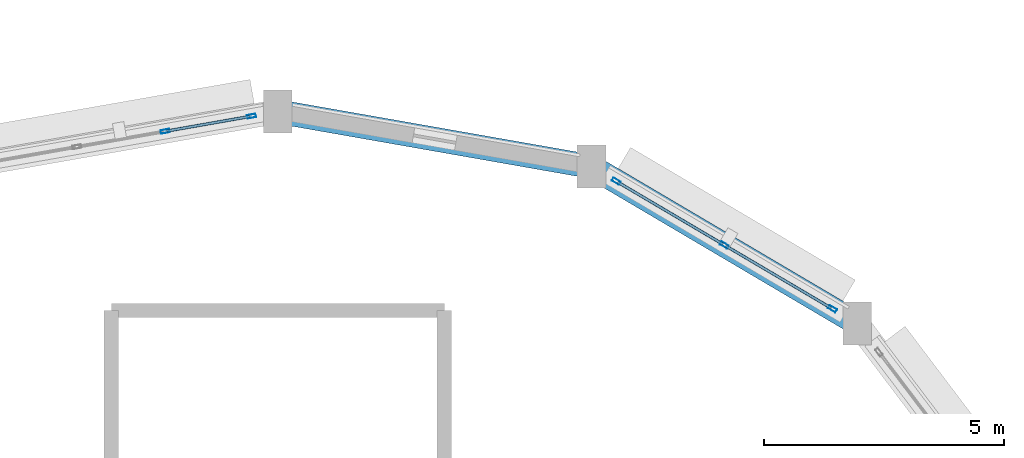
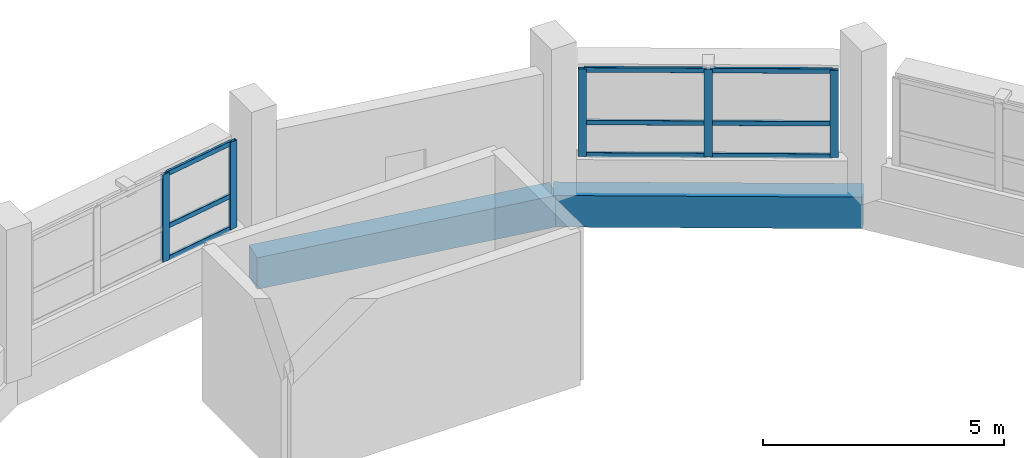
# One storey, part 86 of 121: 14 members, 2 beams, 2 elements without a shape of their own.
"""IFC4 building model written with IfcOpenShell, lengths in metres."""

from ifc_helpers import new_model, si_unit, direction, frame, origin, origin_2d, place, context, subcontext, project, spatial, rectangle, hollow_rectangle, extrude, material, layer, layer_set, material_profile, profile_set, type_object, element, aggregate, save


model = new_model("IFC4")

# Units and contexts
model_context = context("Model", 3, precision=1e-05, world=origin(), true_north=direction((0.0, 1.0)))
body_context = subcontext(model_context, "Body", "Model", "MODEL_VIEW")
ifc_project = project(units=[si_unit("LENGTHUNIT", "METRE"), si_unit("AREAUNIT", "SQUARE_METRE"), si_unit("VOLUMEUNIT", "CUBIC_METRE"), si_unit("PLANEANGLEUNIT", "RADIAN"), si_unit("MASSUNIT", "GRAM", prefix="KILO")], contexts=[model_context])

# Site, building, storey
site_placement = place(None, origin())
site = spatial("IfcSite", under=ifc_project, at=site_placement, CompositionType="ELEMENT")
building_placement = place(site_placement, origin())
building = spatial("IfcBuilding", under=site, at=building_placement, Name="Vespera Passage Community Centre", CompositionType="ELEMENT")
storey_placement = place(building_placement, frame((0.0, 0.0, 8.699951171875)))
storey = spatial("IfcBuildingStorey", under=building, at=storey_placement, Name="L02", CompositionType="ELEMENT", Elevation=8.699951171875)

# Beams
ifc_material_1 = material(Name="Concrete f'c 35 MPa", Category="concrete")
ifc_material_profile_1 = material_profile(ifc_material_1, rectangle(XDim=0.5, YDim=0.800048828125, at=origin_2d()), Name="RC500X800")
ifc_profile_set_1 = profile_set([ifc_material_profile_1], Name="Concrete f'c 35 MPa")
beam_type = type_object("IfcBeamType", Name="BM-SP-500X800E", PredefinedType="SPANDREL", material=ifc_profile_set_1)
beam_1_placement = place(storey_placement, frame((155.091552734375, 100.17724609375, -0.39990234375), z_axis=(-0.861245535965, 0.508189065978, 0.0), x_axis=(-0.508189065978, -0.861245535965, 0.0)))
element("IfcBeam", 1, at=beam_1_placement, inside=storey, type_object=beam_type, Name="V2 L02 Perimeter Spandrel 3", PredefinedType="SPANDREL", context=body_context, shape_type="SweptSolid", body=[
    extrude(rectangle(XDim=0.5, YDim=0.800048828125, at=origin_2d()), origin(), (0.0, 0.0, 1.0), 6.44140625),
])
beam_2_placement = place(storey_placement, frame((149.5439453125, 103.45068359375, -0.39990234375), z_axis=(-0.984922333185, 0.172997102844, 0.0), x_axis=(-0.172997102844, -0.984922333185, 0.0)))
element("IfcBeam", 2, at=beam_2_placement, inside=storey, type_object=beam_type, Name="V2 L02 Perimeter Spandrel 4", PredefinedType="SPANDREL", context=body_context, shape_type="SweptSolid", body=[
    extrude(rectangle(XDim=0.5, YDim=0.800048828125, at=origin_2d()), origin(), (0.0, 0.0, 1.0), 6.64404296875),
])

# Curtain wall, members
ifc_material_2 = material(Name="Anodized aluminium 6063-T6", Category="aluminium")
ifc_layer_1 = layer(ifc_material_2, 0.159912109375)
ifc_layer_set_1 = layer_set([ifc_layer_1], Name="Anodized aluminium 6063-T6")
curtain_wall_type_1 = type_object("IfcCurtainWallType", Name="CW-99E", PredefinedType="NOTDEFINED", material=ifc_layer_set_1)
curtain_wall_1_placement = place(storey_placement, origin())
curtain_wall_1 = element("IfcCurtainWall", 3, at=curtain_wall_1_placement, inside=storey, type_object=curtain_wall_type_1, Name="Sports Drum Ribbon Curtain Wall L02.3", PredefinedType="NOTDEFINED")
ifc_material_3 = material(Name="Anodized aluminium 6063-T6", Category="aluminium")
ifc_material_profile_2 = material_profile(ifc_material_3, hollow_rectangle(XDim=0.074951171875, YDim=0.179931640625, WallThickness=0.0048828125, InnerFilletRadius=0.00244140625, OuterFilletRadius=0.0048828125, at=origin_2d()), Name="ALU180X75X5")
ifc_profile_set_2 = profile_set([ifc_material_profile_2], Name="Anodized aluminium 6063-T6")
member_type_1 = type_object("IfcMemberType", Name="MB-CWM-180E", PredefinedType="MULLION", material=ifc_profile_set_2)
member_1_placement = place(storey_placement, frame((150.061279296875, 103.145263671875, 0.85009765625), z_axis=(0.0, 0.0, 1.0), x_axis=(0.50817007737, 0.861256740157, 0.0)))
member_1 = element("IfcMember", 4, at=member_1_placement, type_object=member_type_1, Name="CW-99E mullion 1", PredefinedType="MULLION", context=body_context, shape_type="SweptSolid", body=[
    extrude(hollow_rectangle(XDim=0.074951171875, YDim=0.179931640625, WallThickness=0.0048828125, InnerFilletRadius=0.00244140625, OuterFilletRadius=0.0048828125, at=origin_2d()), origin(), (0.0, 0.0, 1.0), 2.21484375),
])
member_2_placement = place(storey_placement, frame((152.317626953125, 101.81396484375, 0.85009765625), z_axis=(0.0, 0.0, 1.0), x_axis=(0.50817007737, 0.861256740157, 0.0)))
member_2 = element("IfcMember", 5, at=member_2_placement, type_object=member_type_1, Name="CW-99E mullion 2", PredefinedType="MULLION", context=body_context, shape_type="SweptSolid", body=[
    extrude(hollow_rectangle(XDim=0.074951171875, YDim=0.179931640625, WallThickness=0.0048828125, InnerFilletRadius=0.00244140625, OuterFilletRadius=0.0048828125, at=origin_2d()), origin(), (0.0, 0.0, 1.0), 2.21484375),
])
member_3_placement = place(storey_placement, frame((154.573974609375, 100.482666015625, 0.85009765625), z_axis=(0.0, 0.0, 1.0), x_axis=(0.50817007737, 0.861256740157, 0.0)))
member_3 = element("IfcMember", 6, at=member_3_placement, type_object=member_type_1, Name="CW-99E mullion 3", PredefinedType="MULLION", context=body_context, shape_type="SweptSolid", body=[
    extrude(hollow_rectangle(XDim=0.074951171875, YDim=0.179931640625, WallThickness=0.0048828125, InnerFilletRadius=0.00244140625, OuterFilletRadius=0.0048828125, at=origin_2d()), origin(), (0.0, 0.0, 1.0), 2.21484375),
])

ifc_material_4 = material(Name="Anodized aluminium 6063-T6", Category="aluminium")
ifc_layer_2 = layer(ifc_material_4, 0.159912109375)
ifc_layer_set_2 = layer_set([ifc_layer_2], Name="Anodized aluminium 6063-T6")
curtain_wall_type_2 = type_object("IfcCurtainWallType", Name="CW-100E", PredefinedType="NOTDEFINED", material=ifc_layer_set_2)
curtain_wall_2_placement = place(storey_placement, origin())
curtain_wall_2 = element("IfcCurtainWall", 7, at=curtain_wall_2_placement, inside=storey, type_object=curtain_wall_type_2, Name="Sports Drum Ribbon Curtain Wall L02.5", PredefinedType="NOTDEFINED")
member_4_placement = place(storey_placement, frame((140.648193359375, 104.18701171875, 0.85009765625), z_axis=(0.0, 0.0, 1.0), x_axis=(-0.172994429562, 0.984922802731, 0.0)))
member_4 = element("IfcMember", 8, at=member_4_placement, type_object=member_type_1, Name="CW-100E mullion 3", PredefinedType="MULLION", context=body_context, shape_type="SweptSolid", body=[
    extrude(hollow_rectangle(XDim=0.074951171875, YDim=0.179931640625, WallThickness=0.0048828125, InnerFilletRadius=0.00244140625, OuterFilletRadius=0.0048828125, at=origin_2d()), origin(), (0.0, 0.0, 1.0), 2.21484375),
])
member_5_placement = place(storey_placement, frame((142.451171875, 104.503662109375, 0.85009765625), z_axis=(0.0, 0.0, 1.0), x_axis=(-0.172994429562, 0.984922802731, 0.0)))
member_5 = element("IfcMember", 9, at=member_5_placement, type_object=member_type_1, Name="CW-100E mullion 4", PredefinedType="MULLION", context=body_context, shape_type="SweptSolid", body=[
    extrude(hollow_rectangle(XDim=0.074951171875, YDim=0.179931640625, WallThickness=0.0048828125, InnerFilletRadius=0.00244140625, OuterFilletRadius=0.0048828125, at=origin_2d()), origin(), (0.0, 0.0, 1.0), 2.21484375),
])

# Member
ifc_material_5 = material(Name="Anodized aluminium 6063-T6", Category="aluminium")
ifc_material_profile_3 = material_profile(ifc_material_5, hollow_rectangle(XDim=0.06005859375, YDim=0.1201171875, WallThickness=0.00390625, InnerFilletRadius=0.001953125, OuterFilletRadius=0.00390625, at=origin_2d()), Name="ALU120X60X4")
ifc_profile_set_3 = profile_set([ifc_material_profile_3], Name="Anodized aluminium 6063-T6")
member_type_2 = type_object("IfcMemberType", Name="MB-CWT-120E", PredefinedType="USERDEFINED", material=ifc_profile_set_3)
member_6_placement = place(storey_placement, frame((150.09375, 103.126220703125, 0.880126953125), z_axis=(0.861245323455, -0.508189426127, 0.0), x_axis=(0.508189426127, 0.861245323455, 0.0)))
member_6 = element("IfcMember", 10, at=member_6_placement, type_object=member_type_2, Name="CW-99E transom 1.1", ObjectType="TRANSOM", PredefinedType="USERDEFINED", context=body_context, shape_type="SweptSolid", body=[
    extrude(hollow_rectangle(XDim=0.06005859375, YDim=0.1201171875, WallThickness=0.00390625, InnerFilletRadius=0.001953125, OuterFilletRadius=0.00390625, at=origin_2d()), origin(), (0.0, 0.0, 1.0), 2.544677734375),
])

member_7_placement = place(storey_placement, frame((150.09375, 103.126220703125, 1.699951171875), z_axis=(0.861245323455, -0.508189426127, 0.0), x_axis=(0.508189426127, 0.861245323455, 0.0)))
member_7 = element("IfcMember", 11, at=member_7_placement, type_object=member_type_2, Name="CW-99E transom 1.2", ObjectType="TRANSOM", PredefinedType="USERDEFINED", context=body_context, shape_type="SweptSolid", body=[
    extrude(hollow_rectangle(XDim=0.06005859375, YDim=0.1201171875, WallThickness=0.00390625, InnerFilletRadius=0.001953125, OuterFilletRadius=0.00390625, at=origin_2d()), origin(), (0.0, 0.0, 1.0), 2.544677734375),
])

member_8_placement = place(storey_placement, frame((150.09375, 103.126220703125, 3.03515625), z_axis=(0.861245323455, -0.508189426127, 0.0), x_axis=(0.508189426127, 0.861245323455, 0.0)))
member_8 = element("IfcMember", 12, at=member_8_placement, type_object=member_type_2, Name="CW-99E transom 1.3", ObjectType="TRANSOM", PredefinedType="USERDEFINED", context=body_context, shape_type="SweptSolid", body=[
    extrude(hollow_rectangle(XDim=0.06005859375, YDim=0.1201171875, WallThickness=0.00390625, InnerFilletRadius=0.001953125, OuterFilletRadius=0.00390625, at=origin_2d()), origin(), (0.0, 0.0, 1.0), 2.544677734375),
])

member_9_placement = place(storey_placement, frame((152.35009765625, 101.794921875, 0.880126953125), z_axis=(0.861245323455, -0.508189426127, 0.0), x_axis=(0.508189426127, 0.861245323455, 0.0)))
member_9 = element("IfcMember", 13, at=member_9_placement, type_object=member_type_2, Name="CW-99E transom 2.1", ObjectType="TRANSOM", PredefinedType="USERDEFINED", context=body_context, shape_type="SweptSolid", body=[
    extrude(hollow_rectangle(XDim=0.06005859375, YDim=0.1201171875, WallThickness=0.00390625, InnerFilletRadius=0.001953125, OuterFilletRadius=0.00390625, at=origin_2d()), origin(), (0.0, 0.0, 1.0), 2.544677734375),
])

member_10_placement = place(storey_placement, frame((152.35009765625, 101.794921875, 1.699951171875), z_axis=(0.861245323455, -0.508189426127, 0.0), x_axis=(0.508189426127, 0.861245323455, 0.0)))
member_10 = element("IfcMember", 14, at=member_10_placement, type_object=member_type_2, Name="CW-99E transom 2.2", ObjectType="TRANSOM", PredefinedType="USERDEFINED", context=body_context, shape_type="SweptSolid", body=[
    extrude(hollow_rectangle(XDim=0.06005859375, YDim=0.1201171875, WallThickness=0.00390625, InnerFilletRadius=0.001953125, OuterFilletRadius=0.00390625, at=origin_2d()), origin(), (0.0, 0.0, 1.0), 2.544677734375),
])

member_11_placement = place(storey_placement, frame((152.35009765625, 101.794921875, 3.03515625), z_axis=(0.861245323455, -0.508189426127, 0.0), x_axis=(0.508189426127, 0.861245323455, 0.0)))
member_11 = element("IfcMember", 15, at=member_11_placement, type_object=member_type_2, Name="CW-99E transom 2.3", ObjectType="TRANSOM", PredefinedType="USERDEFINED", context=body_context, shape_type="SweptSolid", body=[
    extrude(hollow_rectangle(XDim=0.06005859375, YDim=0.1201171875, WallThickness=0.00390625, InnerFilletRadius=0.001953125, OuterFilletRadius=0.00390625, at=origin_2d()), origin(), (0.0, 0.0, 1.0), 2.544677734375),
])

aggregate(curtain_wall_1, [member_1, member_2, member_3, member_6, member_7, member_8, member_9, member_10, member_11])

member_12_placement = place(storey_placement, frame((140.68505859375, 104.193359375, 0.880126953125), z_axis=(0.984924620758, 0.172984078529, 0.0), x_axis=(-0.172984078529, 0.984924620758, 0.0)))
member_12 = element("IfcMember", 16, at=member_12_placement, type_object=member_type_2, Name="CW-100E transom 3.1", ObjectType="TRANSOM", PredefinedType="USERDEFINED", context=body_context, shape_type="SweptSolid", body=[
    extrude(hollow_rectangle(XDim=0.06005859375, YDim=0.1201171875, WallThickness=0.00390625, InnerFilletRadius=0.001953125, OuterFilletRadius=0.00390625, at=origin_2d()), origin(), (0.0, 0.0, 1.0), 1.755615234375),
])

member_13_placement = place(storey_placement, frame((140.68505859375, 104.193359375, 1.699951171875), z_axis=(0.984924620758, 0.172984078529, 0.0), x_axis=(-0.172984078529, 0.984924620758, 0.0)))
member_13 = element("IfcMember", 17, at=member_13_placement, type_object=member_type_2, Name="CW-100E transom 3.2", ObjectType="TRANSOM", PredefinedType="USERDEFINED", context=body_context, shape_type="SweptSolid", body=[
    extrude(hollow_rectangle(XDim=0.06005859375, YDim=0.1201171875, WallThickness=0.00390625, InnerFilletRadius=0.001953125, OuterFilletRadius=0.00390625, at=origin_2d()), origin(), (0.0, 0.0, 1.0), 1.755615234375),
])

member_14_placement = place(storey_placement, frame((140.68505859375, 104.193359375, 3.03515625), z_axis=(0.984924620758, 0.172984078529, 0.0), x_axis=(-0.172984078529, 0.984924620758, 0.0)))
member_14 = element("IfcMember", 18, at=member_14_placement, type_object=member_type_2, Name="CW-100E transom 3.3", ObjectType="TRANSOM", PredefinedType="USERDEFINED", context=body_context, shape_type="SweptSolid", body=[
    extrude(hollow_rectangle(XDim=0.06005859375, YDim=0.1201171875, WallThickness=0.00390625, InnerFilletRadius=0.001953125, OuterFilletRadius=0.00390625, at=origin_2d()), origin(), (0.0, 0.0, 1.0), 1.755615234375),
])

aggregate(curtain_wall_2, [member_4, member_5, member_12, member_13, member_14])

save(model, "model.ifc")
